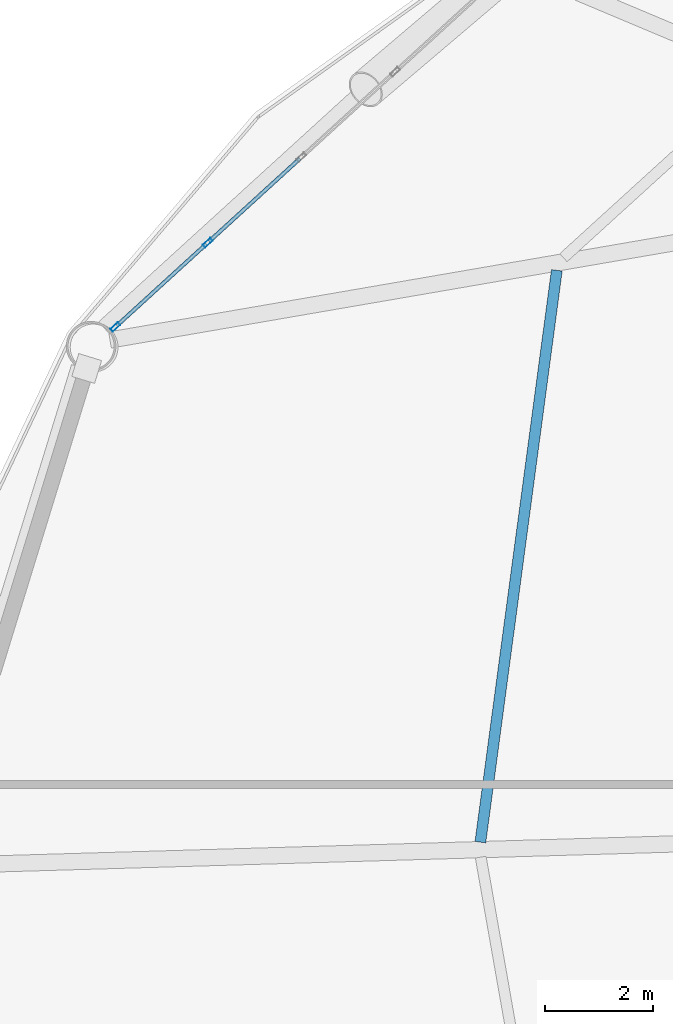
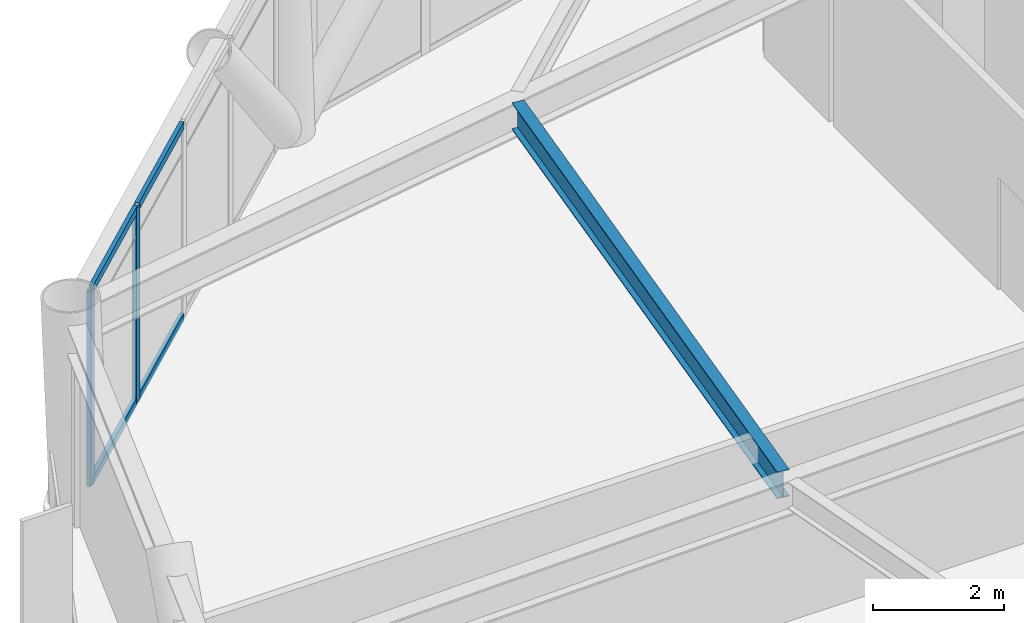
# One storey, part 11 of 26: 6 members, 1 beam, 1 element without a shape of its own.
"""IFC4 building model written with IfcOpenShell, lengths in metres."""

from ifc_helpers import new_model, si_unit, direction, frame, origin, origin_2d, place, context, subcontext, project, spatial, hollow_rectangle, i_section, extrude, material, layer, layer_set, material_profile, profile_set, type_object, element, aggregate, save


model = new_model("IFC4")

# Units and contexts
model_context = context("Model", 3, precision=1e-05, world=origin(), true_north=direction((0.0, 1.0)))
body_context = subcontext(model_context, "Body", "Model", "MODEL_VIEW")
ifc_project = project(units=[si_unit("LENGTHUNIT", "METRE"), si_unit("AREAUNIT", "SQUARE_METRE"), si_unit("VOLUMEUNIT", "CUBIC_METRE"), si_unit("PLANEANGLEUNIT", "RADIAN"), si_unit("MASSUNIT", "GRAM", prefix="KILO")], contexts=[model_context])

# Site, building, storey
site_placement = place(None, origin())
site = spatial("IfcSite", under=ifc_project, at=site_placement, CompositionType="ELEMENT")
building_placement = place(site_placement, origin())
building = spatial("IfcBuilding", under=site, at=building_placement, Name="Varnakorn Sky Granary", CompositionType="ELEMENT")
storey_placement = place(building_placement, frame((0.0, 0.0, 51.0)))
storey = spatial("IfcBuildingStorey", under=building, at=storey_placement, Name="L12", CompositionType="ELEMENT", Elevation=51.0)

# Beam
ifc_material_1 = material(Name="Steel S355JR", Category="steel")
ifc_material_profile_1 = material_profile(ifc_material_1, i_section(OverallWidth=0.199951171875, OverallDepth=0.5, WebThickness=0.01025390625, FlangeThickness=0.01611328125, at=origin_2d()), Name="IPE 500")
ifc_profile_set_1 = profile_set([ifc_material_profile_1], Name="Steel S355JR")
beam_type = type_object("IfcBeamType", Name="BM-SEC-Z1", PredefinedType="BEAM", material=ifc_profile_set_1)
beam_placement = place(storey_placement, frame((-11.112548828125, 10.986083984375, 3.389892578125), z_axis=(-0.13250186154, -0.991182756452, 0.0), x_axis=(0.991182756452, -0.13250186154, 0.0)))
element("IfcBeam", 1, at=beam_placement, inside=storey, type_object=beam_type, Name="Secondary Floor Chord Beam MSB06 L12", PredefinedType="BEAM", context=body_context, shape_type="SweptSolid", body=[
    extrude(i_section(OverallWidth=0.199951171875, OverallDepth=0.5, WebThickness=0.01025390625, FlangeThickness=0.01611328125, at=origin_2d()), origin(), (0.0, 0.0, 1.0), 10.640625),
])

# Curtain wall, members
ifc_material_2 = material(Name="Anodised Bronze Aluminium Alloy 6063-T6", Category="aluminium")
ifc_layer = layer(ifc_material_2, 0.18994140625, Name="Anodised Bronze Aluminium Alloy 6063-T6")
ifc_layer_set = layer_set([ifc_layer], Name="Anodised Bronze Aluminium Alloy 6063-T6")
curtain_wall_type = type_object("IfcCurtainWallType", Name="CW-FRM-1", PredefinedType="USERDEFINED", material=ifc_layer_set)
curtain_wall_placement = place(storey_placement, origin())
curtain_wall = element("IfcCurtainWall", 2, at=curtain_wall_placement, inside=storey, type_object=curtain_wall_type, Name="Unitised Curtain Wall CW3 CW-L12-B05", ObjectType="CURTAIN WALL", PredefinedType="USERDEFINED")
ifc_material_profile_2 = material_profile(ifc_material_2, hollow_rectangle(XDim=0.070068359375, YDim=0.18505859375, WallThickness=0.00390625, at=origin_2d()), Name="ALU MULL 70x185")
ifc_profile_set_2 = profile_set([ifc_material_profile_2], Name="Anodised Bronze Aluminium Alloy 6063-T6")
member_type_1 = type_object("IfcMemberType", Name="CW-FRM-1-MULL", PredefinedType="MULLION", material=ifc_profile_set_2)
member_1_placement = place(storey_placement, frame((-19.25537109375, 9.941162109375, 0.0), z_axis=(0.0, 0.0, 1.0), x_axis=(-0.674049155123, 0.73868649404, 0.0)))
member_1 = element("IfcMember", 3, at=member_1_placement, type_object=member_type_1, Name="CW3 mullion 1", PredefinedType="MULLION", context=body_context, shape_type="SweptSolid", body=[
    extrude(hollow_rectangle(XDim=0.070068359375, YDim=0.18505859375, WallThickness=0.00390625, at=origin_2d()), origin(), (0.0, 0.0, 1.0), 3.639892578125),
])
member_2_placement = place(storey_placement, frame((-17.552978515625, 11.494384765625, 0.0), z_axis=(0.0, 0.0, 1.0), x_axis=(-0.674049155123, 0.73868649404, 0.0)))
member_2 = element("IfcMember", 4, at=member_2_placement, type_object=member_type_1, Name="CW3 mullion 2", PredefinedType="MULLION", context=body_context, shape_type="SweptSolid", body=[
    extrude(hollow_rectangle(XDim=0.070068359375, YDim=0.18505859375, WallThickness=0.00390625, at=origin_2d()), origin(), (0.0, 0.0, 1.0), 3.639892578125),
])
ifc_material_profile_3 = material_profile(ifc_material_2, hollow_rectangle(XDim=0.070068359375, YDim=0.139892578125, WallThickness=0.00341796875, at=origin_2d()), Name="ALU TRAN 70x140")
ifc_profile_set_3 = profile_set([ifc_material_profile_3], Name="Anodised Bronze Aluminium Alloy 6063-T6")
member_type_2 = type_object("IfcMemberType", Name="CW-FRM-1-TRAN", PredefinedType="USERDEFINED", material=ifc_profile_set_3)
member_3_placement = place(storey_placement, frame((-19.2294921875, 9.964599609375, 0.034912109375), z_axis=(0.738653403881, 0.674085416646, 0.0), x_axis=(-0.674085416646, 0.738653403881, 0.0)))
member_3 = element("IfcMember", 5, at=member_3_placement, type_object=member_type_2, Name="CW3 transom 1.1", ObjectType="TRANSOM", PredefinedType="USERDEFINED", context=body_context, shape_type="SweptSolid", body=[
    extrude(hollow_rectangle(XDim=0.070068359375, YDim=0.139892578125, WallThickness=0.00341796875, at=origin_2d()), origin(), (0.0, 0.0, 1.0), 2.234619140625),
])
member_4_placement = place(storey_placement, frame((-19.2294921875, 9.964599609375, 3.60498046875), z_axis=(0.738653403881, 0.674085416646, 0.0), x_axis=(-0.674085416646, 0.738653403881, 0.0)))
member_4 = element("IfcMember", 6, at=member_4_placement, type_object=member_type_2, Name="CW3 transom 1.2", ObjectType="TRANSOM", PredefinedType="USERDEFINED", context=body_context, shape_type="SweptSolid", body=[
    extrude(hollow_rectangle(XDim=0.070068359375, YDim=0.139892578125, WallThickness=0.00341796875, at=origin_2d()), origin(), (0.0, 0.0, 1.0), 2.234619140625),
])
member_5_placement = place(storey_placement, frame((-17.527099609375, 11.51806640625, 0.034912109375), z_axis=(0.738692728033, 0.674042323264, 0.0), x_axis=(-0.674042323264, 0.738692728033, 0.0)))
member_5 = element("IfcMember", 7, at=member_5_placement, type_object=member_type_2, Name="CW3 transom 2.1", ObjectType="TRANSOM", PredefinedType="USERDEFINED", context=body_context, shape_type="SweptSolid", body=[
    extrude(hollow_rectangle(XDim=0.070068359375, YDim=0.139892578125, WallThickness=0.00341796875, at=origin_2d()), origin(), (0.0, 0.0, 1.0), 2.26953125),
])
member_6_placement = place(storey_placement, frame((-17.527099609375, 11.51806640625, 3.60498046875), z_axis=(0.738692728033, 0.674042323264, 0.0), x_axis=(-0.674042323264, 0.738692728033, 0.0)))
member_6 = element("IfcMember", 8, at=member_6_placement, type_object=member_type_2, Name="CW3 transom 2.2", ObjectType="TRANSOM", PredefinedType="USERDEFINED", context=body_context, shape_type="SweptSolid", body=[
    extrude(hollow_rectangle(XDim=0.070068359375, YDim=0.139892578125, WallThickness=0.00341796875, at=origin_2d()), origin(), (0.0, 0.0, 1.0), 2.26953125),
])
aggregate(curtain_wall, [member_1, member_2, member_3, member_4, member_5, member_6])

save(model, "model.ifc")
